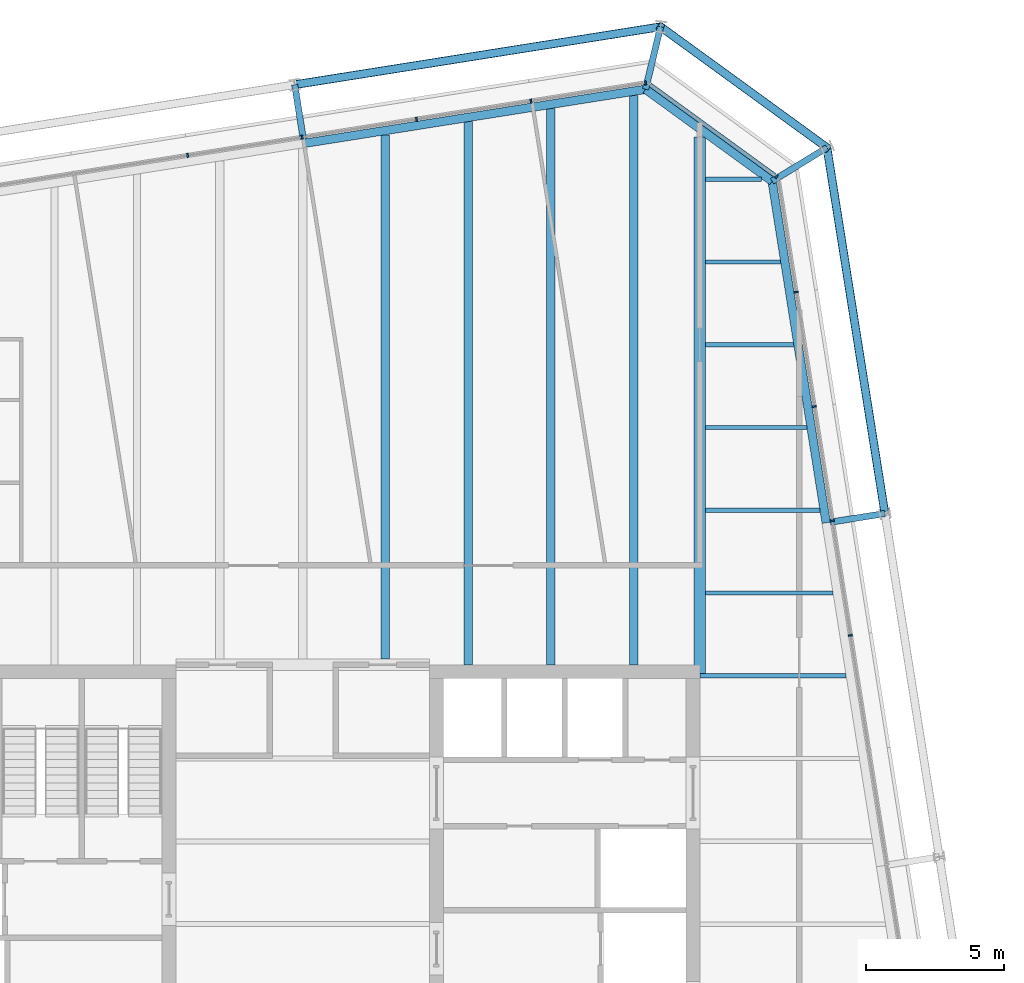
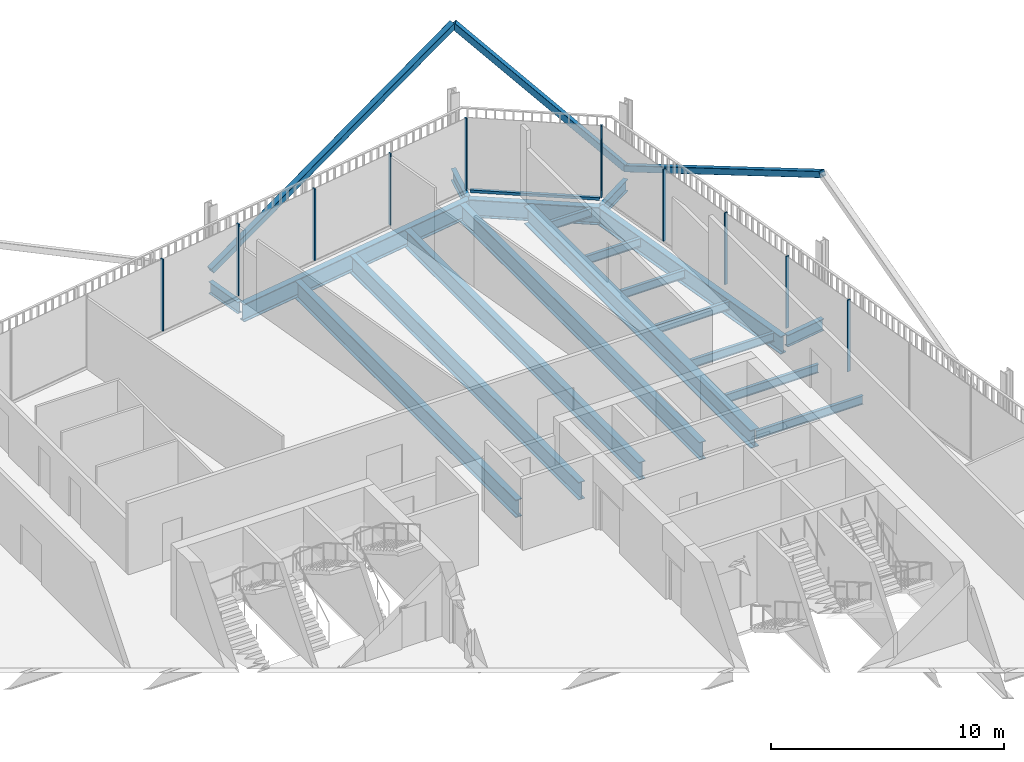
# One storey, part 15 of 21: 19 beams, 14 members, 3 elements without a shape of their own.
"""IFC4 building model written with IfcOpenShell, lengths in metres."""

from ifc_helpers import new_model, si_unit, direction, frame, origin, origin_2d, place, context, subcontext, project, spatial, rectangle, hollow_rectangle, i_section, extrude, material, layer, layer_set, material_profile, profile_set, type_object, element, aggregate, save


model = new_model("IFC4")

# Units and contexts
model_context = context("Model", 3, precision=1e-05, world=origin(), true_north=direction((0.0, 1.0)))
body_context = subcontext(model_context, "Body", "Model", "MODEL_VIEW")
ifc_project = project(units=[si_unit("LENGTHUNIT", "METRE"), si_unit("AREAUNIT", "SQUARE_METRE"), si_unit("VOLUMEUNIT", "CUBIC_METRE"), si_unit("PLANEANGLEUNIT", "RADIAN"), si_unit("MASSUNIT", "GRAM", prefix="KILO")], contexts=[model_context])

# Site, building, storey
site_placement = place(None, origin())
site = spatial("IfcSite", under=ifc_project, at=site_placement, CompositionType="ELEMENT")
building_placement = place(site_placement, origin())
building = spatial("IfcBuilding", under=site, at=building_placement, Name="Millrace Tower", CompositionType="ELEMENT")
storey_placement = place(building_placement, frame((0.0, 0.0, 220.300048828125)))
storey = spatial("IfcBuildingStorey", under=building, at=storey_placement, Name="L50", CompositionType="ELEMENT", Elevation=220.300048828125)

# Curtain wall, members
ifc_material_1 = material(Name="Aluminium and glass", Category="aluminium")
ifc_layer = layer(ifc_material_1, 0.14990234375)
ifc_layer_set = layer_set([ifc_layer], Name="Aluminium and glass")
curtain_wall_type = type_object("IfcCurtainWallType", Name="CW-1 office vision curtain wall", PredefinedType="NOTDEFINED", material=ifc_layer_set)
placement = place(storey_placement, origin())
curtain_wall_1 = element("IfcCurtainWall", 1, at=placement, inside=storey, type_object=curtain_wall_type, Name="Curtain wall D-F04 L50", PredefinedType="NOTDEFINED")
ifc_material_2 = material(Name="Aluminium", Category="aluminium")
ifc_material_profile_1 = material_profile(ifc_material_2, rectangle(XDim=0.06494140625, YDim=0.14990234375, at=origin_2d()))
ifc_profile_set_1 = profile_set([ifc_material_profile_1], Name="Aluminium")
member_type_1 = type_object("IfcMemberType", Name="CW-1 office vision curtain wall mullion", PredefinedType="MULLION", material=ifc_profile_set_1)
member_1_placement = place(storey_placement, frame((19.857421875, 10.466064453125, 0.139892578125), z_axis=(0.0, 0.0, 1.0), x_axis=(-0.156434471884, 0.987688339511, 0.0)))
member_1 = element("IfcMember", 2, at=member_1_placement, type_object=member_type_1, Name="CW1 mullion D-F04.6", PredefinedType="MULLION", context=body_context, shape_type="SweptSolid", body=[
    extrude(rectangle(XDim=0.06494140625, YDim=0.14990234375, at=origin_2d()), origin(), (0.0, 0.0, 1.0), 3.760009765625),
])
member_2_placement = place(storey_placement, frame((19.2001953125, 14.6142578125, 0.139892578125), z_axis=(0.0, 0.0, 1.0), x_axis=(-0.156434471884, 0.987688339511, 0.0)))
member_2 = element("IfcMember", 3, at=member_2_placement, type_object=member_type_1, Name="CW1 mullion D-F04.7", PredefinedType="MULLION", context=body_context, shape_type="SweptSolid", body=[
    extrude(rectangle(XDim=0.06494140625, YDim=0.14990234375, at=origin_2d()), origin(), (0.0, 0.0, 1.0), 3.760009765625),
])
member_3_placement = place(storey_placement, frame((18.543212890625, 18.762451171875, 0.139892578125), z_axis=(0.0, 0.0, 1.0), x_axis=(-0.156434471884, 0.987688339511, 0.0)))
member_3 = element("IfcMember", 4, at=member_3_placement, type_object=member_type_1, Name="CW1 mullion D-F04.8", PredefinedType="MULLION", context=body_context, shape_type="SweptSolid", body=[
    extrude(rectangle(XDim=0.06494140625, YDim=0.14990234375, at=origin_2d()), origin(), (0.0, 0.0, 1.0), 3.760009765625),
])
member_4_placement = place(storey_placement, frame((17.88623046875, 22.910888671875, 0.139892578125), z_axis=(0.0, 0.0, 1.0), x_axis=(-0.156434471884, 0.987688339511, 0.0)))
member_4 = element("IfcMember", 5, at=member_4_placement, type_object=member_type_1, Name="CW1 mullion D-F04.9", PredefinedType="MULLION", context=body_context, shape_type="SweptSolid", body=[
    extrude(rectangle(XDim=0.06494140625, YDim=0.14990234375, at=origin_2d()), origin(), (0.0, 0.0, 1.0), 3.760009765625),
])
aggregate(curtain_wall_1, [member_1, member_2, member_3, member_4])

# Curtain wall, member
curtain_wall_2 = element("IfcCurtainWall", 6, at=placement, inside=storey, type_object=curtain_wall_type, Name="Curtain wall D-F05 L50", PredefinedType="NOTDEFINED")
member_5_placement = place(storey_placement, frame((17.177978515625, 27.094970703125, 0.139892578125), z_axis=(0.0, 0.0, 1.0), x_axis=(-0.809016955361, 0.587785305991, 0.0)))
member_5 = element("IfcMember", 7, at=member_5_placement, type_object=member_type_1, Name="CW1 mullion D-F05.1", PredefinedType="MULLION", context=body_context, shape_type="SweptSolid", body=[
    extrude(rectangle(XDim=0.06494140625, YDim=0.14990234375, at=origin_2d()), origin(), (0.0, 0.0, 1.0), 3.760009765625),
])

# Curtain wall, members
curtain_wall_3 = element("IfcCurtainWall", 8, at=placement, inside=storey, type_object=curtain_wall_type, Name="Curtain wall D-F06 L50", PredefinedType="NOTDEFINED")
member_6_placement = place(storey_placement, frame((12.425537109375, 30.492431640625, 0.139892578125), z_axis=(0.0, 0.0, 1.0), x_axis=(-0.987688339511, -0.156434471884, 0.0)))
member_6 = element("IfcMember", 9, at=member_6_placement, type_object=member_type_1, Name="CW1 mullion D-F06.1", PredefinedType="MULLION", context=body_context, shape_type="SweptSolid", body=[
    extrude(rectangle(XDim=0.06494140625, YDim=0.14990234375, at=origin_2d()), origin(), (0.0, 0.0, 1.0), 3.760009765625),
])
member_7_placement = place(storey_placement, frame((8.277099609375, 29.83544921875, 0.139892578125), z_axis=(0.0, 0.0, 1.0), x_axis=(-0.987688339511, -0.156434471884, 0.0)))
member_7 = element("IfcMember", 10, at=member_7_placement, type_object=member_type_1, Name="CW1 mullion D-F06.2", PredefinedType="MULLION", context=body_context, shape_type="SweptSolid", body=[
    extrude(rectangle(XDim=0.06494140625, YDim=0.14990234375, at=origin_2d()), origin(), (0.0, 0.0, 1.0), 3.760009765625),
])
member_8_placement = place(storey_placement, frame((4.12890625, 29.178466796875, 0.139892578125), z_axis=(0.0, 0.0, 1.0), x_axis=(-0.987688339511, -0.156434471884, 0.0)))
member_8 = element("IfcMember", 11, at=member_8_placement, type_object=member_type_1, Name="CW1 mullion D-F06.3", PredefinedType="MULLION", context=body_context, shape_type="SweptSolid", body=[
    extrude(rectangle(XDim=0.06494140625, YDim=0.14990234375, at=origin_2d()), origin(), (0.0, 0.0, 1.0), 3.760009765625),
])
member_9_placement = place(storey_placement, frame((-0.019287109375, 28.521240234375, 0.139892578125), z_axis=(0.0, 0.0, 1.0), x_axis=(-0.987688339511, -0.156434471884, 0.0)))
member_9 = element("IfcMember", 12, at=member_9_placement, type_object=member_type_1, Name="CW1 mullion D-F06.4", PredefinedType="MULLION", context=body_context, shape_type="SweptSolid", body=[
    extrude(rectangle(XDim=0.06494140625, YDim=0.14990234375, at=origin_2d()), origin(), (0.0, 0.0, 1.0), 3.760009765625),
])
member_10_placement = place(storey_placement, frame((-4.167724609375, 27.8642578125, 0.139892578125), z_axis=(0.0, 0.0, 1.0), x_axis=(-0.987688339511, -0.156434471884, 0.0)))
member_10 = element("IfcMember", 13, at=member_10_placement, type_object=member_type_1, Name="CW1 mullion D-F06.5", PredefinedType="MULLION", context=body_context, shape_type="SweptSolid", body=[
    extrude(rectangle(XDim=0.06494140625, YDim=0.14990234375, at=origin_2d()), origin(), (0.0, 0.0, 1.0), 3.760009765625),
])
aggregate(curtain_wall_3, [member_6, member_7, member_8, member_9, member_10])

# Member
ifc_material_3 = material(Name="Aluminium", Category="aluminium")
ifc_material_profile_2 = material_profile(ifc_material_3, rectangle(XDim=0.14990234375, YDim=0.139892578125, at=origin_2d()))
ifc_profile_set_2 = profile_set([ifc_material_profile_2], Name="Aluminium")
member_type_2 = type_object("IfcMemberType", Name="CW-1 office vision curtain wall transom", PredefinedType="USERDEFINED", material=ifc_profile_set_2)
member_11_placement = place(storey_placement, frame((17.123291015625, 27.134765625, 0.070068359375), z_axis=(-0.809018869857, 0.587782670904, 0.0), x_axis=(-0.587782670904, -0.809018869857, 0.0)))
member_11 = element("IfcMember", 14, at=member_11_placement, type_object=member_type_2, Name="CW1 transom D-F05.1", ObjectType="TRANSOM", PredefinedType="USERDEFINED", context=body_context, shape_type="SweptSolid", body=[
    extrude(rectangle(XDim=0.14990234375, YDim=0.139892578125, at=origin_2d()), origin(), (0.0, 0.0, 1.0), 5.59814453125),
])

aggregate(curtain_wall_2, [member_5, member_11])

# Members
ifc_material_4 = material(Name="Steel ASTM A500 Grade C", Category="steel")
ifc_material_profile_3 = material_profile(ifc_material_4, hollow_rectangle(XDim=0.3046875, YDim=0.3046875, WallThickness=0.0126953125, InnerFilletRadius=0.00634765625, OuterFilletRadius=0.01904296875, at=origin_2d()))
ifc_profile_set_3 = profile_set([ifc_material_profile_3], Name="Steel ASTM A500 Grade C")
member_type_3 = type_object("IfcMemberType", Name="Exoskeleton brace HSS12x12x1/2", PredefinedType="BRACE", material=ifc_profile_set_3)
member_12_placement = place(storey_placement, frame((19.006103515625, 28.146484375, 0.39990234375), z_axis=(0.138712380788, -0.87583551821, 0.462245627841), x_axis=(0.987689444837, 0.156427492975, 0.0)))
element("IfcMember", 15, at=member_12_placement, inside=storey, type_object=member_type_3, Name="BRC-D-L50-08", PredefinedType="BRACE", context=body_context, shape_type="SweptSolid", body=[
    extrude(hollow_rectangle(XDim=0.3046875, YDim=0.3046875, WallThickness=0.0126953125, InnerFilletRadius=0.00634765625, OuterFilletRadius=0.01904296875, at=origin_2d()), origin(), (0.0, 0.0, 1.0), 15.1435546875),
])
member_13_placement = place(storey_placement, frame((19.006103515625, 28.146484375, 0.39990234375), z_axis=(-0.589795997835, 0.428482435505, 0.684502361867), x_axis=(-0.587758820843, -0.809036197288, 0.0)))
element("IfcMember", 16, at=member_13_placement, inside=storey, type_object=member_type_3, Name="BRC-D-L50-09", PredefinedType="BRACE", context=body_context, shape_type="SweptSolid", body=[
    extrude(hollow_rectangle(XDim=0.3046875, YDim=0.3046875, WallThickness=0.0126953125, InnerFilletRadius=0.00634765625, OuterFilletRadius=0.01904296875, at=origin_2d()), origin(), (0.0, 0.0, 1.0), 10.226318359375),
])
member_14_placement = place(storey_placement, frame((-0.288330078125, 30.427734375, 0.39990234375), z_axis=(0.875831763156, 0.138714339442, 0.462252154868), x_axis=(-0.156430301989, 0.987688999949, 0.0)))
element("IfcMember", 17, at=member_14_placement, inside=storey, type_object=member_type_3, Name="BRC-D-L50-10", PredefinedType="BRACE", context=body_context, shape_type="SweptSolid", body=[
    extrude(hollow_rectangle(XDim=0.3046875, YDim=0.3046875, WallThickness=0.0126953125, InnerFilletRadius=0.00634765625, OuterFilletRadius=0.01904296875, at=origin_2d()), origin(), (0.0, 0.0, 1.0), 15.143310546875),
])

# Beams
ifc_material_5 = material(Name="Steel ASTM A992 Grade 50", Category="steel")
ifc_material_profile_4 = material_profile(ifc_material_5, i_section(OverallWidth=0.15234375, OverallDepth=0.449462890625, WebThickness=0.007568359375, FlangeThickness=0.0107421875, FilletRadius=0.01025390625, at=origin_2d()))
ifc_profile_set_4 = profile_set([ifc_material_profile_4], Name="Steel ASTM A992 Grade 50")
beam_type_1 = type_object("IfcBeamType", Name="Floor beam W18x35", PredefinedType="JOIST", material=ifc_profile_set_4)
beam_1_placement = place(storey_placement, frame((14.39990234375, 9.0, -0.384765625), z_axis=(1.0, 0.0, 0.0), x_axis=(0.0, 1.0, 0.0)))
element("IfcBeam", 18, at=beam_1_placement, inside=storey, type_object=beam_type_1, Name="BM-D-L50-S1-S024", PredefinedType="JOIST", context=body_context, shape_type="SweptSolid", body=[
    extrude(i_section(OverallWidth=0.15234375, OverallDepth=0.449462890625, WebThickness=0.007568359375, FlangeThickness=0.0107421875, FilletRadius=0.01025390625, at=origin_2d()), origin(), (0.0, 0.0, 1.0), 5.302490234375),
])
beam_2_placement = place(storey_placement, frame((14.609619140625, 12.0, -0.384765625), z_axis=(1.0, 0.0, 0.0), x_axis=(0.0, 1.0, 0.0)))
element("IfcBeam", 19, at=beam_2_placement, inside=storey, type_object=beam_type_1, Name="BM-D-L50-S1-S026", PredefinedType="JOIST", context=body_context, shape_type="SweptSolid", body=[
    extrude(i_section(OverallWidth=0.15234375, OverallDepth=0.449462890625, WebThickness=0.007568359375, FlangeThickness=0.0107421875, FilletRadius=0.01025390625, at=origin_2d()), origin(), (0.0, 0.0, 1.0), 4.61767578125),
])
beam_3_placement = place(storey_placement, frame((14.609619140625, 15.0, -0.384765625), z_axis=(1.0, 0.0, 0.0), x_axis=(0.0, 1.0, 0.0)))
element("IfcBeam", 20, at=beam_3_placement, inside=storey, type_object=beam_type_1, Name="BM-D-L50-S1-S028", PredefinedType="JOIST", context=body_context, shape_type="SweptSolid", body=[
    extrude(i_section(OverallWidth=0.15234375, OverallDepth=0.449462890625, WebThickness=0.007568359375, FlangeThickness=0.0107421875, FilletRadius=0.01025390625, at=origin_2d()), origin(), (0.0, 0.0, 1.0), 4.142578125),
])
beam_4_placement = place(storey_placement, frame((14.609619140625, 18.0, -0.384765625), z_axis=(1.0, 0.0, 0.0), x_axis=(0.0, 1.0, 0.0)))
element("IfcBeam", 21, at=beam_4_placement, inside=storey, type_object=beam_type_1, Name="BM-D-L50-S1-S030", PredefinedType="JOIST", context=body_context, shape_type="SweptSolid", body=[
    extrude(i_section(OverallWidth=0.15234375, OverallDepth=0.449462890625, WebThickness=0.007568359375, FlangeThickness=0.0107421875, FilletRadius=0.01025390625, at=origin_2d()), origin(), (0.0, 0.0, 1.0), 3.667236328125),
])
beam_5_placement = place(storey_placement, frame((14.609619140625, 21.0, -0.384765625), z_axis=(1.0, 0.0, 0.0), x_axis=(0.0, 1.0, 0.0)))
element("IfcBeam", 22, at=beam_5_placement, inside=storey, type_object=beam_type_1, Name="BM-D-L50-S1-S032", PredefinedType="JOIST", context=body_context, shape_type="SweptSolid", body=[
    extrude(i_section(OverallWidth=0.15234375, OverallDepth=0.449462890625, WebThickness=0.007568359375, FlangeThickness=0.0107421875, FilletRadius=0.01025390625, at=origin_2d()), origin(), (0.0, 0.0, 1.0), 3.192138671875),
])
beam_6_placement = place(storey_placement, frame((14.609619140625, 24.0, -0.384765625), z_axis=(1.0, 0.0, 0.0), x_axis=(0.0, 1.0, 0.0)))
element("IfcBeam", 23, at=beam_6_placement, inside=storey, type_object=beam_type_1, Name="BM-D-L50-S1-S034", PredefinedType="JOIST", context=body_context, shape_type="SweptSolid", body=[
    extrude(i_section(OverallWidth=0.15234375, OverallDepth=0.449462890625, WebThickness=0.007568359375, FlangeThickness=0.0107421875, FilletRadius=0.01025390625, at=origin_2d()), origin(), (0.0, 0.0, 1.0), 2.717041015625),
])
beam_7_placement = place(storey_placement, frame((14.609619140625, 27.0, -0.384765625), z_axis=(1.0, 0.0, 0.0), x_axis=(0.0, 1.0, 0.0)))
element("IfcBeam", 24, at=beam_7_placement, inside=storey, type_object=beam_type_1, Name="BM-D-L50-S1-S035", PredefinedType="JOIST", context=body_context, shape_type="SweptSolid", body=[
    extrude(i_section(OverallWidth=0.15234375, OverallDepth=0.449462890625, WebThickness=0.007568359375, FlangeThickness=0.0107421875, FilletRadius=0.01025390625, at=origin_2d()), origin(), (0.0, 0.0, 1.0), 2.020751953125),
])
ifc_material_6 = material(Name="Steel ASTM A992 Grade 50", Category="steel")
ifc_material_profile_5 = material_profile(ifc_material_6, i_section(OverallWidth=0.307373046875, OverallDepth=0.927001953125, WebThickness=0.01953125, FlangeThickness=0.031982421875, FilletRadius=0.01904296875, at=origin_2d()))
ifc_profile_set_5 = profile_set([ifc_material_profile_5], Name="Steel ASTM A992 Grade 50")
beam_type_2 = type_object("IfcBeamType", Name="Floor beam W36x194", PredefinedType="JOIST", material=ifc_profile_set_5)
beam_8_placement = place(storey_placement, frame((3.0, 9.609619140625, -0.62353515625), z_axis=(0.0, 1.0, 0.0), x_axis=(-1.0, 0.0, 0.0)))
element("IfcBeam", 25, at=beam_8_placement, inside=storey, type_object=beam_type_2, Name="BM-D-L50-S1-S046", PredefinedType="JOIST", context=body_context, shape_type="SweptSolid", body=[
    extrude(i_section(OverallWidth=0.307373046875, OverallDepth=0.927001953125, WebThickness=0.01953125, FlangeThickness=0.031982421875, FilletRadius=0.01904296875, at=origin_2d()), origin(), (0.0, 0.0, 1.0), 19.0029296875),
])
beam_9_placement = place(storey_placement, frame((6.0, 9.39990234375, -0.62353515625), z_axis=(0.0, 1.0, 0.0), x_axis=(-1.0, 0.0, 0.0)))
element("IfcBeam", 26, at=beam_9_placement, inside=storey, type_object=beam_type_2, Name="BM-D-L50-S1-S048", PredefinedType="JOIST", context=body_context, shape_type="SweptSolid", body=[
    extrude(i_section(OverallWidth=0.307373046875, OverallDepth=0.927001953125, WebThickness=0.01953125, FlangeThickness=0.031982421875, FilletRadius=0.01904296875, at=origin_2d()), origin(), (0.0, 0.0, 1.0), 19.687744140625),
])
beam_10_placement = place(storey_placement, frame((9.0, 9.39990234375, -0.62353515625), z_axis=(0.0, 1.0, 0.0), x_axis=(-1.0, 0.0, 0.0)))
element("IfcBeam", 27, at=beam_10_placement, inside=storey, type_object=beam_type_2, Name="BM-D-L50-S1-S050", PredefinedType="JOIST", context=body_context, shape_type="SweptSolid", body=[
    extrude(i_section(OverallWidth=0.307373046875, OverallDepth=0.927001953125, WebThickness=0.01953125, FlangeThickness=0.031982421875, FilletRadius=0.01904296875, at=origin_2d()), origin(), (0.0, 0.0, 1.0), 20.162841796875),
])
beam_11_placement = place(storey_placement, frame((12.0, 9.39990234375, -0.62353515625), z_axis=(0.0, 1.0, 0.0), x_axis=(-1.0, 0.0, 0.0)))
element("IfcBeam", 28, at=beam_11_placement, inside=storey, type_object=beam_type_2, Name="BM-D-L50-S1-S052", PredefinedType="JOIST", context=body_context, shape_type="SweptSolid", body=[
    extrude(i_section(OverallWidth=0.307373046875, OverallDepth=0.927001953125, WebThickness=0.01953125, FlangeThickness=0.031982421875, FilletRadius=0.01904296875, at=origin_2d()), origin(), (0.0, 0.0, 1.0), 20.637939453125),
])
ifc_material_7 = material(Name="Steel ASTM A992 Grade 50", Category="steel")
ifc_material_profile_6 = material_profile(ifc_material_7, i_section(OverallWidth=0.424072265625, OverallDepth=0.947509765625, WebThickness=0.02392578125, FlangeThickness=0.042724609375, FilletRadius=0.024169921875, at=origin_2d()))
ifc_profile_set_6 = profile_set([ifc_material_profile_6], Name="Steel ASTM A992 Grade 50")
beam_type_3 = type_object("IfcBeamType", Name="Girder medium span W36x302", PredefinedType="BEAM", material=ifc_profile_set_6)
beam_12_placement = place(storey_placement, frame((14.39990234375, 9.080078125, -0.6337890625), z_axis=(0.0, 1.0, 0.0), x_axis=(-1.0, 0.0, 0.0)))
element("IfcBeam", 29, at=beam_12_placement, inside=storey, type_object=beam_type_3, Name="BM-D-L50-S1-G056", PredefinedType="BEAM", context=body_context, shape_type="SweptSolid", body=[
    extrude(i_section(OverallWidth=0.424072265625, OverallDepth=0.947509765625, WebThickness=0.02392578125, FlangeThickness=0.042724609375, FilletRadius=0.024169921875, at=origin_2d()), origin(), (0.0, 0.0, 1.0), 19.460693359375),
])
ifc_material_8 = material(Name="Steel ASTM A992 Grade 50", Category="steel")
ifc_material_profile_7 = material_profile(ifc_material_8, i_section(OverallWidth=0.23046875, OverallDepth=0.6171875, WebThickness=0.01318359375, FlangeThickness=0.022216796875, FilletRadius=0.012939453125, at=origin_2d()))
ifc_profile_set_7 = profile_set([ifc_material_profile_7], Name="Steel ASTM A992 Grade 50")
beam_type_4 = type_object("IfcBeamType", Name="Link beam W24x94", PredefinedType="BEAM", material=ifc_profile_set_7)
beam_13_placement = place(storey_placement, frame((0.0244140625, 28.452392578125, -0.46875), z_axis=(-0.15637629034, 0.987697552806, 0.0), x_axis=(-0.987697552806, -0.15637629034, 0.0)))
element("IfcBeam", 30, at=beam_13_placement, inside=storey, type_object=beam_type_4, Name="LNK-D-L50-S1-07", PredefinedType="BEAM", context=body_context, shape_type="SweptSolid", body=[
    extrude(i_section(OverallWidth=0.23046875, OverallDepth=0.6171875, WebThickness=0.01318359375, FlangeThickness=0.022216796875, FilletRadius=0.012939453125, at=origin_2d()), origin(), (0.0, 0.0, 1.0), 2.0),
])
beam_14_placement = place(storey_placement, frame((12.430419921875, 30.26171875, -0.46875), z_axis=(0.233456138164, 0.972367333652, 0.0), x_axis=(-0.972367333652, 0.233456138164, 0.0)))
element("IfcBeam", 31, at=beam_14_placement, inside=storey, type_object=beam_type_4, Name="LNK-D-L50-S1-08", PredefinedType="BEAM", context=body_context, shape_type="SweptSolid", body=[
    extrude(i_section(OverallWidth=0.23046875, OverallDepth=0.6171875, WebThickness=0.01318359375, FlangeThickness=0.022216796875, FilletRadius=0.012939453125, at=origin_2d()), origin(), (0.0, 0.0, 1.0), 2.3310546875),
])
beam_15_placement = place(storey_placement, frame((17.018310546875, 26.928466796875, -0.46875), z_axis=(0.852659946142, 0.5224662824, 0.0), x_axis=(-0.5224662824, 0.852659946142, 0.0)))
element("IfcBeam", 32, at=beam_15_placement, inside=storey, type_object=beam_type_4, Name="LNK-D-L50-S1-09", PredefinedType="BEAM", context=body_context, shape_type="SweptSolid", body=[
    extrude(i_section(OverallWidth=0.23046875, OverallDepth=0.6171875, WebThickness=0.01318359375, FlangeThickness=0.022216796875, FilletRadius=0.012939453125, at=origin_2d()), origin(), (0.0, 0.0, 1.0), 2.331298828125),
])
beam_16_placement = place(storey_placement, frame((19.13134765625, 14.5703125, -0.46875), z_axis=(0.987678691416, 0.156495375404, 0.0), x_axis=(-0.156495375404, 0.987678691416, 0.0)))
element("IfcBeam", 33, at=beam_16_placement, inside=storey, type_object=beam_type_4, Name="LNK-D-L50-S1-10", PredefinedType="BEAM", context=body_context, shape_type="SweptSolid", body=[
    extrude(i_section(OverallWidth=0.23046875, OverallDepth=0.6171875, WebThickness=0.01318359375, FlangeThickness=0.022216796875, FilletRadius=0.012939453125, at=origin_2d()), origin(), (0.0, 0.0, 1.0), 2.0),
])
ifc_material_9 = material(Name="Steel ASTM A992 Grade 50", Category="steel")
ifc_material_profile_8 = material_profile(ifc_material_9, i_section(OverallWidth=0.307373046875, OverallDepth=0.927001953125, WebThickness=0.01953125, FlangeThickness=0.031982421875, FilletRadius=0.01904296875, at=origin_2d()))
ifc_profile_set_8 = profile_set([ifc_material_profile_8], Name="Steel ASTM A992 Grade 50")
beam_type_5 = type_object("IfcBeamType", Name="Ring beam medium span W36x194", PredefinedType="SPANDREL", material=ifc_profile_set_8)
beam_17_placement = place(storey_placement, frame((0.048583984375, 28.300537109375, -0.62353515625), z_axis=(0.987687213011, 0.156441584157, 0.0), x_axis=(-0.156441584157, 0.987687213011, 0.0)))
element("IfcBeam", 34, at=beam_17_placement, inside=storey, type_object=beam_type_5, Name="RNG-D-L50-S1-07", PredefinedType="SPANDREL", context=body_context, shape_type="SweptSolid", body=[
    extrude(i_section(OverallWidth=0.307373046875, OverallDepth=0.927001953125, WebThickness=0.01953125, FlangeThickness=0.031982421875, FilletRadius=0.01904296875, at=origin_2d()), origin(), (0.0, 0.0, 1.0), 12.5361328125),
])
beam_18_placement = place(storey_placement, frame((17.018310546875, 26.928466796875, -0.62353515625), z_axis=(0.156438575049, -0.987687689625, 0.0), x_axis=(0.987687689625, 0.156438575049, 0.0)))
element("IfcBeam", 35, at=beam_18_placement, inside=storey, type_object=beam_type_5, Name="RNG-D-L50-S1-09", PredefinedType="SPANDREL", context=body_context, shape_type="SweptSolid", body=[
    extrude(i_section(OverallWidth=0.307373046875, OverallDepth=0.927001953125, WebThickness=0.01953125, FlangeThickness=0.031982421875, FilletRadius=0.01904296875, at=origin_2d()), origin(), (0.0, 0.0, 1.0), 12.536376953125),
])
ifc_material_10 = material(Name="Steel ASTM A992 Grade 50", Category="steel")
ifc_material_profile_9 = material_profile(ifc_material_10, i_section(OverallWidth=0.307373046875, OverallDepth=0.927001953125, WebThickness=0.01953125, FlangeThickness=0.031982421875, FilletRadius=0.01904296875, at=origin_2d()))
ifc_profile_set_9 = profile_set([ifc_material_profile_9], Name="Steel ASTM A992 Grade 50")
beam_type_6 = type_object("IfcBeamType", Name="Ring beam short span W36x194", PredefinedType="SPANDREL", material=ifc_profile_set_9)
beam_19_placement = place(storey_placement, frame((12.430419921875, 30.26171875, -0.62353515625), z_axis=(0.80902082646, -0.587779977844, 0.0), x_axis=(0.587779977844, 0.80902082646, 0.0)))
element("IfcBeam", 36, at=beam_19_placement, inside=storey, type_object=beam_type_6, Name="RNG-D-L50-S1-08", PredefinedType="SPANDREL", context=body_context, shape_type="SweptSolid", body=[
    extrude(i_section(OverallWidth=0.307373046875, OverallDepth=0.927001953125, WebThickness=0.01953125, FlangeThickness=0.031982421875, FilletRadius=0.01904296875, at=origin_2d()), origin(), (0.0, 0.0, 1.0), 5.6708984375),
])

save(model, "model.ifc")
